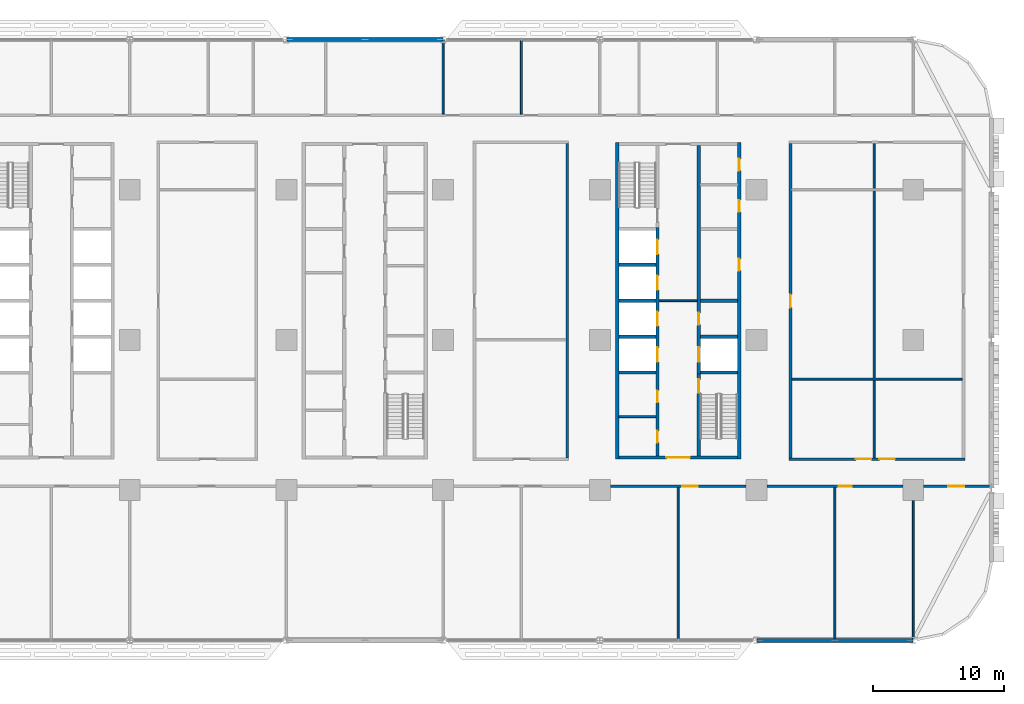
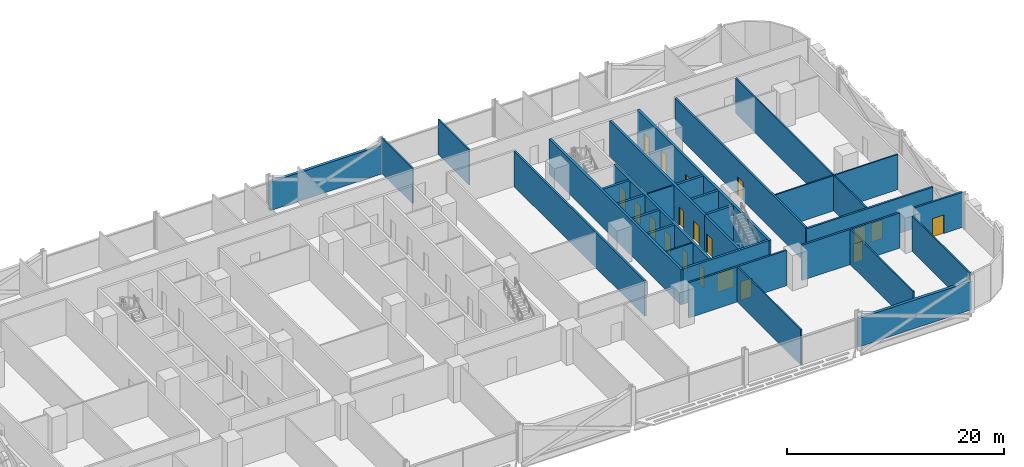
# One storey, part 14 of 28: 30 walls, 19 doors, 19 openings.
"""IFC4 building model written with IfcOpenShell, lengths in metres."""

from ifc_helpers import new_model, si_unit, direction, frame, frame_2d, origin, place, context, subcontext, project, spatial, rectangle, extrude, material, layer, layer_set, type_object, element, fill, save


model = new_model("IFC4")

# Units and contexts
model_context = context("Model", 3, precision=1e-05, world=origin(), true_north=direction((0.0, 1.0)))
body_context = subcontext(model_context, "Body", "Model", "MODEL_VIEW")
ifc_project = project(units=[si_unit("LENGTHUNIT", "METRE"), si_unit("AREAUNIT", "SQUARE_METRE"), si_unit("VOLUMEUNIT", "CUBIC_METRE"), si_unit("PLANEANGLEUNIT", "RADIAN"), si_unit("MASSUNIT", "GRAM", prefix="KILO")], contexts=[model_context])

# Site, building, storey
site_placement = place(None, origin())
site = spatial("IfcSite", under=ifc_project, at=site_placement, CompositionType="ELEMENT")
building_placement = place(site_placement, origin())
building = spatial("IfcBuilding", under=site, at=building_placement, Name="Mahtab Terrace Research Tower", CompositionType="ELEMENT")
storey_placement = place(building_placement, frame((0.0, 0.0, 33.0)))
storey = spatial("IfcBuildingStorey", under=building, at=storey_placement, Name="L07", CompositionType="ELEMENT", Elevation=33.0)

# Walls
ifc_material_1 = material(Name="Gypsum board partition")
ifc_layer_1 = layer(ifc_material_1, 0.14990234375)
ifc_layer_set_1 = layer_set([ifc_layer_1], Name="Core partition 150")
wall_type_1 = type_object("IfcWallType", Name="Core partition 150", PredefinedType="PARTITIONING", material=ifc_layer_set_1)
wall_1_placement = place(storey_placement, frame((22.550048828125, 3.0, 0.0), z_axis=(0.0, 0.0, 1.0), x_axis=(1.0, 0.0, 0.0)))
element("IfcWall", 1, at=wall_1_placement, inside=storey, type_object=wall_type_1, Name="Core wall C ffl", PredefinedType="PARTITIONING", context=body_context, shape_type="SweptSolid", body=[
    extrude(rectangle(XDim=2.89990234375, YDim=0.14990234375, at=frame_2d((1.449951171875, 0.0))), origin(), (0.0, 0.0, 1.0), 3.9599609375),
])
wall_2_placement = place(storey_placement, frame((19.449951171875, -5.875, 0.0), z_axis=(0.0, 0.0, 1.0), x_axis=(1.0, 0.0, 0.0)))
element("IfcWall", 2, at=wall_2_placement, inside=storey, type_object=wall_type_1, Name="Core wall C pWS-888", PredefinedType="PARTITIONING", context=body_context, shape_type="SweptSolid", body=[
    extrude(rectangle(XDim=2.85009765625, YDim=0.14990234375, at=frame_2d((1.425048828125, 0.0))), origin(), (0.0, 0.0, 1.0), 3.9599609375),
])
ifc_material_2 = material(Name="Concrete C70/85", Category="concrete")
ifc_layer_2 = layer(ifc_material_2, 0.25)
ifc_layer_set_2 = layer_set([ifc_layer_2], Name="Core wall 250")
wall_type_2 = type_object("IfcWallType", Name="Core wall 250", PredefinedType="SOLIDWALL", material=ifc_layer_set_2)
wall_3_placement = place(storey_placement, frame((19.324951171875, 15.125, 0.0), z_axis=(0.0, 0.0, 1.0), x_axis=(0.0, -1.0, 0.0)))
element("IfcWall", 3, at=wall_3_placement, inside=storey, type_object=wall_type_2, Name="Core wall C outerW", PredefinedType="SOLIDWALL", context=body_context, shape_type="SweptSolid", body=[
    extrude(rectangle(XDim=24.25, YDim=0.25, at=frame_2d((12.125, 0.0))), origin(), (0.0, 0.0, 1.0), 3.9599609375),
])

# Wall, openings, doors
wall_4_placement = place(storey_placement, frame((28.675048828125, -9.125, 0.0), z_axis=(0.0, 0.0, 1.0), x_axis=(0.0, 1.0, 0.0)))
wall_4 = element("IfcWall", 4, at=wall_4_placement, inside=storey, type_object=wall_type_2, Name="Core wall C outerE", PredefinedType="SOLIDWALL", context=body_context, shape_type="SweptSolid", body=[
    extrude(rectangle(XDim=24.25, YDim=0.25, at=frame_2d((12.125, 0.0))), origin(), (0.0, 0.0, 1.0), 3.9599609375),
])
opening_1_placement = place(wall_4_placement, frame((14.425048828125, 0.0, 0.0)))
opening_1 = element("IfcOpeningElement", 5, at=opening_1_placement, cuts=wall_4, Name="Opening C-R2", PredefinedType="OPENING", context=body_context, shape_type="SweptSolid", body=[
    extrude(rectangle(XDim=0.89990234375, YDim=2.10009765625, at=frame_2d((0.449951171875, 1.050048828125))), frame((0.0, 0.135009765625, 0.0), z_axis=(0.0, -1.0, 0.0), x_axis=(1.0, 0.0, 0.0)), (0.0, 0.0, 1.0), 0.27001953125),
])
opening_2_placement = place(wall_4_placement, frame((18.925048828125, 0.0, 0.0)))
opening_2 = element("IfcOpeningElement", 6, at=opening_2_placement, cuts=wall_4, Name="Opening C-R5", PredefinedType="OPENING", context=body_context, shape_type="SweptSolid", body=[
    extrude(rectangle(XDim=0.89990234375, YDim=2.10009765625, at=frame_2d((0.449951171875, 1.050048828125))), frame((0.0, 0.135009765625, 0.0), z_axis=(0.0, -1.0, 0.0), x_axis=(1.0, 0.0, 0.0)), (0.0, 0.0, 1.0), 0.27001953125),
])
opening_3_placement = place(wall_4_placement, frame((22.08740234375, 0.0, 0.0)))
opening_3 = element("IfcOpeningElement", 7, at=opening_3_placement, cuts=wall_4, Name="Opening C-R6", PredefinedType="OPENING", context=body_context, shape_type="SweptSolid", body=[
    extrude(rectangle(XDim=0.89990234375, YDim=2.10009765625, at=frame_2d((0.449951171875, 1.050048828125))), frame((0.0, 0.135009765625, 0.0), z_axis=(0.0, -1.0, 0.0), x_axis=(1.0, 0.0, 0.0)), (0.0, 0.0, 1.0), 0.27001953125),
])
ifc_material_3 = material(Name="Steel fire door", Category="steel")
door_type_1 = type_object("IfcDoorType", Name="Room door 900x2100 1 HR", OperationType="NOTDEFINED", PredefinedType="DOOR", material=ifc_material_3)
door_1_placement = place(opening_1_placement, origin())
door_1 = element("IfcDoor", 8, at=door_1_placement, inside=storey, type_object=door_type_1, Name="Plant room door", OperationType="SINGLE_SWING_RIGHT", OverallHeight=2.10009765625, OverallWidth=0.89990234375, PredefinedType="DOOR", context=body_context, shape_type="SweptSolid", body=[
    extrude(rectangle(XDim=0.89990234375, YDim=2.10009765625, at=frame_2d((0.449951171875, 1.050048828125))), frame((0.0, 0.02490234375, 0.0), z_axis=(0.0, -1.0, 0.0), x_axis=(1.0, 0.0, 0.0)), (0.0, 0.0, 1.0), 0.050048828125),
])
fill(opening_1, door_1)
door_2_placement = place(opening_2_placement, origin())
door_2 = element("IfcDoor", 9, at=door_2_placement, inside=storey, type_object=door_type_1, Name="Housekeeping store door", OperationType="SINGLE_SWING_LEFT", OverallHeight=2.10009765625, OverallWidth=0.89990234375, PredefinedType="DOOR", context=body_context, shape_type="SweptSolid", body=[
    extrude(rectangle(XDim=0.89990234375, YDim=2.10009765625, at=frame_2d((0.449951171875, 1.050048828125))), frame((0.0, 0.02490234375, 0.0), z_axis=(0.0, -1.0, 0.0), x_axis=(1.0, 0.0, 0.0)), (0.0, 0.0, 1.0), 0.050048828125),
])
fill(opening_2, door_2)
door_3_placement = place(opening_3_placement, origin())
door_3 = element("IfcDoor", 10, at=door_3_placement, inside=storey, type_object=door_type_1, Name="Electrical riser room door", OperationType="SINGLE_SWING_RIGHT", OverallHeight=2.10009765625, OverallWidth=0.89990234375, PredefinedType="DOOR", context=body_context, shape_type="SweptSolid", body=[
    extrude(rectangle(XDim=0.89990234375, YDim=2.10009765625, at=frame_2d((0.449951171875, 1.050048828125))), frame((0.0, 0.02490234375, 0.0), z_axis=(0.0, -1.0, 0.0), x_axis=(1.0, 0.0, 0.0)), (0.0, 0.0, 1.0), 0.050048828125),
])
fill(opening_3, door_3)

# Wall, opening, door
wall_5_placement = place(storey_placement, frame((28.550048828125, -9.0, 0.0), z_axis=(0.0, 0.0, 1.0), x_axis=(-1.0, 0.0, 0.0)))
wall_5 = element("IfcWall", 11, at=wall_5_placement, inside=storey, type_object=wall_type_2, Name="Core wall C endS", PredefinedType="SOLIDWALL", context=body_context, shape_type="SweptSolid", body=[
    extrude(rectangle(XDim=9.10009765625, YDim=0.25, at=frame_2d((4.550048828125, 0.0))), origin(), (0.0, 0.0, 1.0), 3.9599609375),
])
opening_4_placement = place(wall_5_placement, frame((3.64990234375, 0.0, 0.0)))
opening_4 = element("IfcOpeningElement", 12, at=opening_4_placement, cuts=wall_5, Name="Opening C-S1", PredefinedType="OPENING", context=body_context, shape_type="SweptSolid", body=[
    extrude(rectangle(XDim=1.800048828125, YDim=2.10009765625, at=frame_2d((0.89990234375, 1.050048828125))), frame((0.0, 0.135009765625, 0.0), z_axis=(0.0, -1.0, 0.0), x_axis=(1.0, 0.0, 0.0)), (0.0, 0.0, 1.0), 0.27001953125),
])
door_type_2 = type_object("IfcDoorType", Name="Lobby double door 1800x2100 1 HR", OperationType="DOUBLE_DOOR_SINGLE_SWING", PredefinedType="DOOR", material=ifc_material_3)
door_4_placement = place(opening_4_placement, origin())
door_4 = element("IfcDoor", 13, at=door_4_placement, inside=storey, type_object=door_type_2, Name="Core entrance door C S", OperationType="DOUBLE_DOOR_SINGLE_SWING", OverallHeight=2.10009765625, OverallWidth=1.800048828125, PredefinedType="DOOR", context=body_context, shape_type="SweptSolid", body=[
    extrude(rectangle(XDim=1.800048828125, YDim=2.10009765625, at=frame_2d((0.89990234375, 1.050048828125))), frame((0.0, 0.02490234375, 0.0), z_axis=(0.0, -1.0, 0.0), x_axis=(1.0, 0.0, 0.0)), (0.0, 0.0, 1.0), 0.050048828125),
])
fill(opening_4, door_4)

# Wall, openings, doors
wall_6_placement = place(storey_placement, frame((22.425048828125, -8.875, 0.0), z_axis=(0.0, 0.0, 1.0), x_axis=(0.0, 1.0, 0.0)))
wall_6 = element("IfcWall", 14, at=wall_6_placement, inside=storey, type_object=wall_type_2, Name="Core wall C innerWSL", PredefinedType="SOLIDWALL", context=body_context, shape_type="SweptSolid", body=[
    extrude(rectangle(XDim=17.5, YDim=0.25, at=frame_2d((8.75, 0.0))), origin(), (0.0, 0.0, 1.0), 3.9599609375),
])
opening_5_placement = place(wall_6_placement, frame((7.199951171875, 0.0, 0.0)))
opening_5 = element("IfcOpeningElement", 15, at=opening_5_placement, cuts=wall_6, Name="Opening LD17-L07", PredefinedType="OPENING", context=body_context, shape_type="SweptSolid", body=[
    extrude(rectangle(XDim=1.10009765625, YDim=2.10009765625, at=frame_2d((0.550048828125, 1.050048828125))), frame((0.0, 0.135009765625, 0.0), z_axis=(0.0, -1.0, 0.0), x_axis=(1.0, 0.0, 0.0)), (0.0, 0.0, 1.0), 0.27001953125),
])
opening_6_placement = place(wall_6_placement, frame((9.949951171875, 0.0, 0.0)))
opening_6 = element("IfcOpeningElement", 16, at=opening_6_placement, cuts=wall_6, Name="Opening LD18-L07", PredefinedType="OPENING", context=body_context, shape_type="SweptSolid", body=[
    extrude(rectangle(XDim=1.10009765625, YDim=2.10009765625, at=frame_2d((0.550048828125, 1.050048828125))), frame((0.0, 0.135009765625, 0.0), z_axis=(0.0, -1.0, 0.0), x_axis=(1.0, 0.0, 0.0)), (0.0, 0.0, 1.0), 0.27001953125),
])
opening_7_placement = place(wall_6_placement, frame((12.699951171875, 0.0, 0.0)))
opening_7 = element("IfcOpeningElement", 17, at=opening_7_placement, cuts=wall_6, Name="Opening LD19-L07", PredefinedType="OPENING", context=body_context, shape_type="SweptSolid", body=[
    extrude(rectangle(XDim=1.10009765625, YDim=2.10009765625, at=frame_2d((0.550048828125, 1.050048828125))), frame((0.0, 0.135009765625, 0.0), z_axis=(0.0, -1.0, 0.0), x_axis=(1.0, 0.0, 0.0)), (0.0, 0.0, 1.0), 0.27001953125),
])
opening_8_placement = place(wall_6_placement, frame((15.449951171875, 0.0, 0.0)))
opening_8 = element("IfcOpeningElement", 18, at=opening_8_placement, cuts=wall_6, Name="Opening LD20-L07", PredefinedType="OPENING", context=body_context, shape_type="SweptSolid", body=[
    extrude(rectangle(XDim=1.10009765625, YDim=2.10009765625, at=frame_2d((0.550048828125, 1.050048828125))), frame((0.0, 0.135009765625, 0.0), z_axis=(0.0, -1.0, 0.0), x_axis=(1.0, 0.0, 0.0)), (0.0, 0.0, 1.0), 0.27001953125),
])
opening_9_placement = place(wall_6_placement, frame((1.012451171875, 0.0, 0.0)))
opening_9 = element("IfcOpeningElement", 19, at=opening_9_placement, cuts=wall_6, Name="Opening C-R3", PredefinedType="OPENING", context=body_context, shape_type="SweptSolid", body=[
    extrude(rectangle(XDim=0.89990234375, YDim=2.10009765625, at=frame_2d((0.449951171875, 1.050048828125))), frame((0.0, 0.135009765625, 0.0), z_axis=(0.0, -1.0, 0.0), x_axis=(1.0, 0.0, 0.0)), (0.0, 0.0, 1.0), 0.27001953125),
])
opening_10_placement = place(wall_6_placement, frame((4.08740234375, 0.0, 0.0)))
opening_10 = element("IfcOpeningElement", 20, at=opening_10_placement, cuts=wall_6, Name="Opening C-R4", PredefinedType="OPENING", context=body_context, shape_type="SweptSolid", body=[
    extrude(rectangle(XDim=0.89990234375, YDim=2.10009765625, at=frame_2d((0.449951171875, 1.050048828125))), frame((0.0, 0.135009765625, 0.0), z_axis=(0.0, -1.0, 0.0), x_axis=(1.0, 0.0, 0.0)), (0.0, 0.0, 1.0), 0.27001953125),
])
ifc_material_4 = material(Name="Stainless steel AISI 304", Category="steel")
door_type_3 = type_object("IfcDoorType", Name="Landing door 1100x2100", OperationType="DOUBLE_DOOR_SLIDING", PredefinedType="DOOR", material=ifc_material_4)
door_5_placement = place(opening_5_placement, origin())
door_5 = element("IfcDoor", 21, at=door_5_placement, inside=storey, type_object=door_type_3, Name="Landing door SV1 L07", OperationType="DOUBLE_DOOR_SLIDING", OverallHeight=2.10009765625, OverallWidth=1.10009765625, PredefinedType="DOOR", context=body_context, shape_type="SweptSolid", body=[
    extrude(rectangle(XDim=1.10009765625, YDim=2.10009765625, at=frame_2d((0.550048828125, 1.050048828125))), frame((0.0, 0.02490234375, 0.0), z_axis=(0.0, -1.0, 0.0), x_axis=(1.0, 0.0, 0.0)), (0.0, 0.0, 1.0), 0.050048828125),
])
fill(opening_5, door_5)
door_6_placement = place(opening_6_placement, origin())
door_6 = element("IfcDoor", 22, at=door_6_placement, inside=storey, type_object=door_type_3, Name="Landing door SV2 L07", OperationType="DOUBLE_DOOR_SLIDING", OverallHeight=2.10009765625, OverallWidth=1.10009765625, PredefinedType="DOOR", context=body_context, shape_type="SweptSolid", body=[
    extrude(rectangle(XDim=1.10009765625, YDim=2.10009765625, at=frame_2d((0.550048828125, 1.050048828125))), frame((0.0, 0.02490234375, 0.0), z_axis=(0.0, -1.0, 0.0), x_axis=(1.0, 0.0, 0.0)), (0.0, 0.0, 1.0), 0.050048828125),
])
fill(opening_6, door_6)
door_7_placement = place(opening_7_placement, origin())
door_7 = element("IfcDoor", 23, at=door_7_placement, inside=storey, type_object=door_type_3, Name="Landing door FF1 L07", OperationType="DOUBLE_DOOR_SLIDING", OverallHeight=2.10009765625, OverallWidth=1.10009765625, PredefinedType="DOOR", context=body_context, shape_type="SweptSolid", body=[
    extrude(rectangle(XDim=1.10009765625, YDim=2.10009765625, at=frame_2d((0.550048828125, 1.050048828125))), frame((0.0, 0.02490234375, 0.0), z_axis=(0.0, -1.0, 0.0), x_axis=(1.0, 0.0, 0.0)), (0.0, 0.0, 1.0), 0.050048828125),
])
fill(opening_7, door_7)
door_8_placement = place(opening_8_placement, origin())
door_8 = element("IfcDoor", 24, at=door_8_placement, inside=storey, type_object=door_type_3, Name="Landing door FF2 L07", OperationType="DOUBLE_DOOR_SLIDING", OverallHeight=2.10009765625, OverallWidth=1.10009765625, PredefinedType="DOOR", context=body_context, shape_type="SweptSolid", body=[
    extrude(rectangle(XDim=1.10009765625, YDim=2.10009765625, at=frame_2d((0.550048828125, 1.050048828125))), frame((0.0, 0.02490234375, 0.0), z_axis=(0.0, -1.0, 0.0), x_axis=(1.0, 0.0, 0.0)), (0.0, 0.0, 1.0), 0.050048828125),
])
fill(opening_8, door_8)
door_9_placement = place(opening_9_placement, origin())
door_9 = element("IfcDoor", 25, at=door_9_placement, inside=storey, type_object=door_type_1, Name="Staff WC door", OperationType="SINGLE_SWING_LEFT", OverallHeight=2.10009765625, OverallWidth=0.89990234375, PredefinedType="DOOR", context=body_context, shape_type="SweptSolid", body=[
    extrude(rectangle(XDim=0.89990234375, YDim=2.10009765625, at=frame_2d((0.449951171875, 1.050048828125))), frame((0.0, 0.02490234375, 0.0), z_axis=(0.0, -1.0, 0.0), x_axis=(1.0, 0.0, 0.0)), (0.0, 0.0, 1.0), 0.050048828125),
])
fill(opening_9, door_9)
door_10_placement = place(opening_10_placement, origin())
door_10 = element("IfcDoor", 26, at=door_10_placement, inside=storey, type_object=door_type_1, Name="Accessible WC door", OperationType="SINGLE_SWING_RIGHT", OverallHeight=2.10009765625, OverallWidth=0.89990234375, PredefinedType="DOOR", context=body_context, shape_type="SweptSolid", body=[
    extrude(rectangle(XDim=0.89990234375, YDim=2.10009765625, at=frame_2d((0.449951171875, 1.050048828125))), frame((0.0, 0.02490234375, 0.0), z_axis=(0.0, -1.0, 0.0), x_axis=(1.0, 0.0, 0.0)), (0.0, 0.0, 1.0), 0.050048828125),
])
fill(opening_10, door_10)

# Wall, opening, door
wall_7_placement = place(storey_placement, frame((25.574951171875, -8.875, 0.0), z_axis=(0.0, 0.0, 1.0), x_axis=(0.0, 1.0, 0.0)))
wall_7 = element("IfcWall", 27, at=wall_7_placement, inside=storey, type_object=wall_type_2, Name="Core wall C innerES", PredefinedType="SOLIDWALL", context=body_context, shape_type="SweptSolid", body=[
    extrude(rectangle(XDim=6.25, YDim=0.25, at=frame_2d((3.125, 0.0))), origin(), (0.0, 0.0, 1.0), 3.9599609375),
])
opening_11_placement = place(wall_7_placement, frame((4.85009765625, 0.0, 0.0)))
opening_11 = element("IfcOpeningElement", 28, at=opening_11_placement, cuts=wall_7, Name="Opening C-ST4", PredefinedType="OPENING", context=body_context, shape_type="SweptSolid", body=[
    extrude(rectangle(XDim=1.0, YDim=2.10009765625, at=frame_2d((0.5, 1.050048828125))), frame((0.0, 0.135009765625, 0.0), z_axis=(0.0, -1.0, 0.0), x_axis=(1.0, 0.0, 0.0)), (0.0, 0.0, 1.0), 0.27001953125),
])
door_type_4 = type_object("IfcDoorType", Name="Stair door 1000x2100 1.5 HR", OperationType="NOTDEFINED", PredefinedType="DOOR", material=ifc_material_3)
door_11_placement = place(opening_11_placement, origin())
door_11 = element("IfcDoor", 29, at=door_11_placement, inside=storey, type_object=door_type_4, Name="Stair door ST4 L07", OperationType="SINGLE_SWING_RIGHT", OverallHeight=2.10009765625, OverallWidth=1.0, PredefinedType="DOOR", context=body_context, shape_type="SweptSolid", body=[
    extrude(rectangle(XDim=1.0, YDim=2.10009765625, at=frame_2d((0.5, 1.050048828125))), frame((0.0, 0.02490234375, 0.0), z_axis=(0.0, -1.0, 0.0), x_axis=(1.0, 0.0, 0.0)), (0.0, 0.0, 1.0), 0.050048828125),
])
fill(opening_11, door_11)

# Wall, openings, doors
wall_8_placement = place(storey_placement, frame((25.574951171875, 14.875, 0.0), z_axis=(0.0, 0.0, 1.0), x_axis=(0.0, -1.0, 0.0)))
wall_8 = element("IfcWall", 30, at=wall_8_placement, inside=storey, type_object=wall_type_2, Name="Core wall C innerELN", PredefinedType="SOLIDWALL", context=body_context, shape_type="SweptSolid", body=[
    extrude(rectangle(XDim=17.5, YDim=0.25, at=frame_2d((8.75, 0.0))), origin(), (0.0, 0.0, 1.0), 3.9599609375),
])
opening_12_placement = place(wall_8_placement, frame((15.449951171875, 0.0, 0.0)))
opening_12 = element("IfcOpeningElement", 31, at=opening_12_placement, cuts=wall_8, Name="Opening LD21-L07", PredefinedType="OPENING", context=body_context, shape_type="SweptSolid", body=[
    extrude(rectangle(XDim=1.10009765625, YDim=2.10009765625, at=frame_2d((0.550048828125, 1.050048828125))), frame((0.0, 0.135009765625, 0.0), z_axis=(0.0, -1.0, 0.0), x_axis=(1.0, 0.0, 0.0)), (0.0, 0.0, 1.0), 0.27001953125),
])
opening_13_placement = place(wall_8_placement, frame((12.800048828125, 0.0, 0.0)))
opening_13 = element("IfcOpeningElement", 32, at=opening_13_placement, cuts=wall_8, Name="Opening C-R1", PredefinedType="OPENING", context=body_context, shape_type="SweptSolid", body=[
    extrude(rectangle(XDim=0.89990234375, YDim=2.10009765625, at=frame_2d((0.449951171875, 1.050048828125))), frame((0.0, 0.135009765625, 0.0), z_axis=(0.0, -1.0, 0.0), x_axis=(1.0, 0.0, 0.0)), (0.0, 0.0, 1.0), 0.27001953125),
])
door_12_placement = place(opening_12_placement, origin())
door_12 = element("IfcDoor", 33, at=door_12_placement, inside=storey, type_object=door_type_3, Name="Landing door SV3 L07", OperationType="DOUBLE_DOOR_SLIDING", OverallHeight=2.10009765625, OverallWidth=1.10009765625, PredefinedType="DOOR", context=body_context, shape_type="SweptSolid", body=[
    extrude(rectangle(XDim=1.10009765625, YDim=2.10009765625, at=frame_2d((0.550048828125, 1.050048828125))), frame((0.0, 0.02490234375, 0.0), z_axis=(0.0, -1.0, 0.0), x_axis=(1.0, 0.0, 0.0)), (0.0, 0.0, 1.0), 0.050048828125),
])
fill(opening_12, door_12)
door_13_placement = place(opening_13_placement, origin())
door_13 = element("IfcDoor", 34, at=door_13_placement, inside=storey, type_object=door_type_1, Name="Plant room door", OperationType="SINGLE_SWING_LEFT", OverallHeight=2.10009765625, OverallWidth=0.89990234375, PredefinedType="DOOR", context=body_context, shape_type="SweptSolid", body=[
    extrude(rectangle(XDim=0.89990234375, YDim=2.10009765625, at=frame_2d((0.449951171875, 1.050048828125))), frame((0.0, 0.02490234375, 0.0), z_axis=(0.0, -1.0, 0.0), x_axis=(1.0, 0.0, 0.0)), (0.0, 0.0, 1.0), 0.050048828125),
])
fill(opening_13, door_13)

# Walls
for number, where, z_axis, x_axis, name in (
    (35, (19.449951171875, -2.5, 0.0), (0.0, 0.0, 1.0), (1.0, 0.0, 0.0), "Core wall C divW0"),
    (36, (19.449951171875, 0.25, 0.0), (0.0, 0.0, 1.0), (1.0, 0.0, 0.0), "Core wall C divW1"),
    (37, (19.449951171875, 3.0, 0.0), (0.0, 0.0, 1.0), (1.0, 0.0, 0.0), "Core wall C divW2"),
    (38, (19.449951171875, 5.75, 0.0), (0.0, 0.0, 1.0), (1.0, 0.0, 0.0), "Core wall C divW3"),
    (39, (25.699951171875, -2.5, 0.0), (0.0, 0.0, 1.0), (1.0, 0.0, 0.0), "Core wall C divE0"),
    (40, (25.699951171875, 0.25, 0.0), (0.0, 0.0, 1.0), (1.0, 0.0, 0.0), "Core wall C divE1"),
    (41, (25.699951171875, 3.0, 0.0), (0.0, 0.0, 1.0), (1.0, 0.0, 0.0), "Core wall C divE2"),
):
    element("IfcWall", number, at=place(storey_placement, frame(where, z_axis=z_axis, x_axis=x_axis)), inside=storey, type_object=wall_type_2, Name=name, PredefinedType="SOLIDWALL", context=body_context, shape_type="SweptSolid", body=[
        extrude(rectangle(XDim=2.85009765625, YDim=0.25, at=frame_2d((1.425048828125, 0.0))), origin(), (0.0, 0.0, 1.0), 3.9599609375),
    ])
ifc_material_5 = material(Name="Black aluminium cladding panel", Category="aluminium")
ifc_layer_3 = layer(ifc_material_5, 0.300048828125)
ifc_layer_set_3 = layer_set([ifc_layer_3], Name="Opaque facade wall 300")
wall_type_3 = type_object("IfcWallType", Name="Opaque facade wall 300", PredefinedType="NOTDEFINED", material=ifc_layer_set_3)
for number, where, z_axis, x_axis, name in (
    (42, (5.97216796875, 23.0, 0.0), (0.0, 0.0, 1.0), (-1.0, 0.0, 0.0), "Opaque facade wall L07 N6"),
    (43, (30.02783203125, -23.0, 0.0), (0.0, 0.0, 1.0), (1.0, 0.0, 0.0), "Opaque facade wall L07 S28"),
):
    element("IfcWall", number, at=place(storey_placement, frame(where, z_axis=z_axis, x_axis=x_axis)), inside=storey, type_object=wall_type_3, Name=name, PredefinedType="NOTDEFINED", context=body_context, shape_type="SweptSolid", body=[
        extrude(rectangle(XDim=11.9443359375, YDim=0.300048828125, at=frame_2d((5.97216796875, 0.0))), origin(), (0.0, 0.0, 1.0), 3.203125),
    ])

# Wall, opening, door
ifc_material_6 = material(Name="Gypsum board corridor wall on steel studs", Category="steel")
ifc_layer_4 = layer(ifc_material_6, 0.199951171875)
ifc_layer_set_4 = layer_set([ifc_layer_4], Name="WALL CORRIDOR 200")
wall_type_4 = type_object("IfcWallType", Name="WALL CORRIDOR 200", PredefinedType="PARTITIONING", material=ifc_layer_set_4)
wall_9_placement = place(storey_placement, frame((18.800048828125, -11.199951171875, 0.0), z_axis=(0.0, 0.0, 1.0), x_axis=(1.0, 0.0, 0.0)))
wall_9 = element("IfcWall", 44, at=wall_9_placement, inside=storey, type_object=wall_type_4, Name="L07-W007", PredefinedType="PARTITIONING", context=body_context, shape_type="SweptSolid", body=[
    extrude(rectangle(XDim=10.39990234375, YDim=0.199951171875, at=frame_2d((5.199951171875, 0.0))), origin(), (0.0, 0.0, 1.0), 3.9599609375),
])
opening_14_placement = place(wall_9_placement, frame((5.5, 0.0, 0.0)))
opening_14 = element("IfcOpeningElement", 45, at=opening_14_placement, cuts=wall_9, Name="Opening L07-108", PredefinedType="OPENING", context=body_context, shape_type="SweptSolid", body=[
    extrude(rectangle(XDim=1.199951171875, YDim=2.10009765625, at=frame_2d((0.60009765625, 1.050048828125))), frame((0.0, 0.10986328125, 0.0), z_axis=(0.0, -1.0, 0.0), x_axis=(1.0, 0.0, 0.0)), (0.0, 0.0, 1.0), 0.219970703125),
])
ifc_material_7 = material(Name="Timber door leaf in steel frame", Category="steel")
door_type_5 = type_object("IfcDoorType", Name="DOOR 1200X2100 FD30S", OperationType="SINGLE_SWING_LEFT", PredefinedType="DOOR", material=ifc_material_7)
door_14_placement = place(opening_14_placement, origin())
door_14 = element("IfcDoor", 46, at=door_14_placement, inside=storey, type_object=door_type_5, Name="Door L07-108", OperationType="SINGLE_SWING_LEFT", OverallHeight=2.10009765625, OverallWidth=1.199951171875, PredefinedType="DOOR", context=body_context, shape_type="SweptSolid", body=[
    extrude(rectangle(XDim=1.199951171875, YDim=2.10009765625, at=frame_2d((0.60009765625, 1.050048828125))), frame((0.0, 0.02490234375, 0.0), z_axis=(0.0, -1.0, 0.0), x_axis=(1.0, 0.0, 0.0)), (0.0, 0.0, 1.0), 0.050048828125),
])
fill(opening_14, door_14)

wall_10_placement = place(storey_placement, frame((30.800048828125, -11.199951171875, 0.0), z_axis=(0.0, 0.0, 1.0), x_axis=(1.0, 0.0, 0.0)))
wall_10 = element("IfcWall", 47, at=wall_10_placement, inside=storey, type_object=wall_type_4, Name="L07-W008", PredefinedType="PARTITIONING", context=body_context, shape_type="SweptSolid", body=[
    extrude(rectangle(XDim=10.39990234375, YDim=0.199951171875, at=frame_2d((5.199951171875, 0.0))), origin(), (0.0, 0.0, 1.0), 3.9599609375),
])
opening_15_placement = place(wall_10_placement, frame((5.5, 0.0, 0.0)))
opening_15 = element("IfcOpeningElement", 48, at=opening_15_placement, cuts=wall_10, Name="Opening L07-109", PredefinedType="OPENING", context=body_context, shape_type="SweptSolid", body=[
    extrude(rectangle(XDim=1.0, YDim=2.10009765625, at=frame_2d((0.5, 1.050048828125))), frame((0.0, 0.10986328125, 0.0), z_axis=(0.0, -1.0, 0.0), x_axis=(1.0, 0.0, 0.0)), (0.0, 0.0, 1.0), 0.219970703125),
])
door_type_6 = type_object("IfcDoorType", Name="DOOR 1000X2100 FD30S", OperationType="SINGLE_SWING_LEFT", PredefinedType="DOOR", material=ifc_material_7)
door_15_placement = place(opening_15_placement, origin())
door_15 = element("IfcDoor", 49, at=door_15_placement, inside=storey, type_object=door_type_6, Name="Door L07-109", OperationType="SINGLE_SWING_LEFT", OverallHeight=2.10009765625, OverallWidth=1.0, PredefinedType="DOOR", context=body_context, shape_type="SweptSolid", body=[
    extrude(rectangle(XDim=1.0, YDim=2.10009765625, at=frame_2d((0.5, 1.050048828125))), frame((0.0, 0.02490234375, 0.0), z_axis=(0.0, -1.0, 0.0), x_axis=(1.0, 0.0, 0.0)), (0.0, 0.0, 1.0), 0.050048828125),
])
fill(opening_15, door_15)

wall_11_placement = place(storey_placement, frame((42.800048828125, -11.199951171875, 0.0), z_axis=(0.0, 0.0, 1.0), x_axis=(1.0, 0.0, 0.0)))
wall_11 = element("IfcWall", 50, at=wall_11_placement, inside=storey, type_object=wall_type_4, Name="L07-W009", PredefinedType="PARTITIONING", context=body_context, shape_type="SweptSolid", body=[
    extrude(rectangle(XDim=5.050048828125, YDim=0.199951171875, at=frame_2d((2.52490234375, 0.0))), origin(), (0.0, 0.0, 1.0), 3.9599609375),
])
opening_16_placement = place(wall_11_placement, frame((1.89990234375, 0.0, 0.0)))
opening_16 = element("IfcOpeningElement", 51, at=opening_16_placement, cuts=wall_11, Name="Opening L07-110", PredefinedType="OPENING", context=body_context, shape_type="SweptSolid", body=[
    extrude(rectangle(XDim=1.199951171875, YDim=2.10009765625, at=frame_2d((0.60009765625, 1.050048828125))), frame((0.0, 0.10986328125, 0.0), z_axis=(0.0, -1.0, 0.0), x_axis=(1.0, 0.0, 0.0)), (0.0, 0.0, 1.0), 0.219970703125),
])
door_16_placement = place(opening_16_placement, origin())
door_16 = element("IfcDoor", 52, at=door_16_placement, inside=storey, type_object=door_type_5, Name="Door L07-110", OperationType="SINGLE_SWING_RIGHT", OverallHeight=2.10009765625, OverallWidth=1.199951171875, PredefinedType="DOOR", context=body_context, shape_type="SweptSolid", body=[
    extrude(rectangle(XDim=1.199951171875, YDim=2.10009765625, at=frame_2d((0.60009765625, 1.050048828125))), frame((0.0, 0.02490234375, 0.0), z_axis=(0.0, -1.0, 0.0), x_axis=(1.0, 0.0, 0.0)), (0.0, 0.0, 1.0), 0.050048828125),
])
fill(opening_16, door_16)

# Wall, openings, doors
wall_12_placement = place(storey_placement, frame((32.5, -9.125, 0.0), z_axis=(0.0, 0.0, 1.0), x_axis=(1.0, 0.0, 0.0)))
wall_12 = element("IfcWall", 53, at=wall_12_placement, inside=storey, type_object=wall_type_4, Name="L07-W013", PredefinedType="PARTITIONING", context=body_context, shape_type="SweptSolid", body=[
    extrude(rectangle(XDim=13.449951171875, YDim=0.199951171875, at=frame_2d((6.72509765625, 0.0))), origin(), (0.0, 0.0, 1.0), 3.9599609375),
])
opening_17_placement = place(wall_12_placement, frame((5.10009765625, 0.0, 0.0)))
opening_17 = element("IfcOpeningElement", 54, at=opening_17_placement, cuts=wall_12, Name="Opening L07-112", PredefinedType="OPENING", context=body_context, shape_type="SweptSolid", body=[
    extrude(rectangle(XDim=1.199951171875, YDim=2.10009765625, at=frame_2d((0.60009765625, 1.050048828125))), frame((0.0, 0.10986328125, 0.0), z_axis=(0.0, -1.0, 0.0), x_axis=(1.0, 0.0, 0.0)), (0.0, 0.0, 1.0), 0.219970703125),
])
opening_18_placement = place(wall_12_placement, frame((6.89990234375, 0.0, 0.0)))
opening_18 = element("IfcOpeningElement", 55, at=opening_18_placement, cuts=wall_12, Name="Opening L07-113", PredefinedType="OPENING", context=body_context, shape_type="SweptSolid", body=[
    extrude(rectangle(XDim=1.199951171875, YDim=2.10009765625, at=frame_2d((0.60009765625, 1.050048828125))), frame((0.0, 0.10986328125, 0.0), z_axis=(0.0, -1.0, 0.0), x_axis=(1.0, 0.0, 0.0)), (0.0, 0.0, 1.0), 0.219970703125),
])
door_17_placement = place(opening_17_placement, origin())
door_17 = element("IfcDoor", 56, at=door_17_placement, inside=storey, type_object=door_type_5, Name="Door L07-112", OperationType="SINGLE_SWING_LEFT", OverallHeight=2.10009765625, OverallWidth=1.199951171875, PredefinedType="DOOR", context=body_context, shape_type="SweptSolid", body=[
    extrude(rectangle(XDim=1.199951171875, YDim=2.10009765625, at=frame_2d((0.60009765625, 1.050048828125))), frame((0.0, 0.02490234375, 0.0), z_axis=(0.0, -1.0, 0.0), x_axis=(1.0, 0.0, 0.0)), (0.0, 0.0, 1.0), 0.050048828125),
])
fill(opening_17, door_17)
door_18_placement = place(opening_18_placement, origin())
door_18 = element("IfcDoor", 57, at=door_18_placement, inside=storey, type_object=door_type_5, Name="Door L07-113", OperationType="SINGLE_SWING_RIGHT", OverallHeight=2.10009765625, OverallWidth=1.199951171875, PredefinedType="DOOR", context=body_context, shape_type="SweptSolid", body=[
    extrude(rectangle(XDim=1.199951171875, YDim=2.10009765625, at=frame_2d((0.60009765625, 1.050048828125))), frame((0.0, 0.02490234375, 0.0), z_axis=(0.0, -1.0, 0.0), x_axis=(1.0, 0.0, 0.0)), (0.0, 0.0, 1.0), 0.050048828125),
])
fill(opening_18, door_18)

# Wall
wall_13_placement = place(storey_placement, frame((15.5, -9.02490234375, 0.0), z_axis=(0.0, 0.0, 1.0), x_axis=(0.0, 1.0, 0.0)))
element("IfcWall", 58, at=wall_13_placement, inside=storey, type_object=wall_type_4, Name="L07-W049", PredefinedType="PARTITIONING", context=body_context, shape_type="SweptSolid", body=[
    extrude(rectangle(XDim=24.0498046875, YDim=0.199951171875, at=frame_2d((12.02490234375, 0.0))), origin(), (0.0, 0.0, 1.0), 3.9599609375),
])

# Wall, opening, door
wall_14_placement = place(storey_placement, frame((32.60009765625, -9.02490234375, 0.0), z_axis=(0.0, 0.0, 1.0), x_axis=(0.0, 1.0, 0.0)))
wall_14 = element("IfcWall", 59, at=wall_14_placement, inside=storey, type_object=wall_type_4, Name="L07-W054", PredefinedType="PARTITIONING", context=body_context, shape_type="SweptSolid", body=[
    extrude(rectangle(XDim=24.0498046875, YDim=0.199951171875, at=frame_2d((12.02490234375, 0.0))), origin(), (0.0, 0.0, 1.0), 3.9599609375),
])
opening_19_placement = place(wall_14_placement, frame((11.5, 0.0, 0.0)))
opening_19 = element("IfcOpeningElement", 60, at=opening_19_placement, cuts=wall_14, Name="Opening L07-118", PredefinedType="OPENING", context=body_context, shape_type="SweptSolid", body=[
    extrude(rectangle(XDim=1.0, YDim=2.10009765625, at=frame_2d((0.5, 1.050048828125))), frame((0.0, 0.10986328125, 0.0), z_axis=(0.0, -1.0, 0.0), x_axis=(1.0, 0.0, 0.0)), (0.0, 0.0, 1.0), 0.219970703125),
])
door_19_placement = place(opening_19_placement, origin())
door_19 = element("IfcDoor", 61, at=door_19_placement, inside=storey, type_object=door_type_6, Name="Door L07-118", OperationType="SINGLE_SWING_RIGHT", OverallHeight=2.10009765625, OverallWidth=1.0, PredefinedType="DOOR", context=body_context, shape_type="SweptSolid", body=[
    extrude(rectangle(XDim=1.0, YDim=2.10009765625, at=frame_2d((0.5, 1.050048828125))), frame((0.0, 0.02490234375, 0.0), z_axis=(0.0, -1.0, 0.0), x_axis=(1.0, 0.0, 0.0)), (0.0, 0.0, 1.0), 0.050048828125),
])
fill(opening_19, door_19)

# Walls
ifc_material_8 = material(Name="Gypsum board partition on steel studs", Category="steel")
ifc_layer_5 = layer(ifc_material_8, 0.14990234375)
ifc_layer_set_5 = layer_set([ifc_layer_5], Name="WALL PARTITION 150")
wall_type_5 = type_object("IfcWallType", Name="WALL PARTITION 150", PredefinedType="PARTITIONING", material=ifc_layer_set_5)
wall_15_placement = place(storey_placement, frame((32.699951171875, -3.0, 0.0), z_axis=(0.0, 0.0, 1.0), x_axis=(1.0, 0.0, 0.0)))
element("IfcWall", 62, at=wall_15_placement, inside=storey, type_object=wall_type_5, Name="L07-W015", PredefinedType="PARTITIONING", context=body_context, shape_type="SweptSolid", body=[
    extrude(rectangle(XDim=13.050048828125, YDim=0.14990234375, at=frame_2d((6.52490234375, 0.0))), origin(), (0.0, 0.0, 1.0), 3.9599609375),
])
for number, where, z_axis, x_axis, name in (
    (63, (6.0, 17.300048828125, 0.0), (0.0, 0.0, 1.0), (0.0, 1.0, 0.0), "L07-W045"),
    (64, (12.0, 17.300048828125, 0.0), (0.0, 0.0, 1.0), (0.0, 1.0, 0.0), "L07-W048"),
):
    element("IfcWall", number, at=place(storey_placement, frame(where, z_axis=z_axis, x_axis=x_axis)), inside=storey, type_object=wall_type_5, Name=name, PredefinedType="PARTITIONING", context=body_context, shape_type="SweptSolid", body=[
        extrude(rectangle(XDim=5.675048828125, YDim=0.14990234375, at=frame_2d((2.83740234375, 0.0))), origin(), (0.0, 0.0, 1.0), 3.9599609375),
    ])
wall_16_placement = place(storey_placement, frame((24.0, -22.97509765625, 0.0), z_axis=(0.0, 0.0, 1.0), x_axis=(0.0, 1.0, 0.0)))
element("IfcWall", 65, at=wall_16_placement, inside=storey, type_object=wall_type_5, Name="L07-W052", PredefinedType="PARTITIONING", context=body_context, shape_type="SweptSolid", body=[
    extrude(rectangle(XDim=11.675048828125, YDim=0.14990234375, at=frame_2d((5.83740234375, 0.0))), origin(), (0.0, 0.0, 1.0), 3.9599609375),
])
wall_17_placement = place(storey_placement, frame((36.0, -22.85009765625, 0.0), z_axis=(0.0, 0.0, 1.0), x_axis=(0.0, 1.0, 0.0)))
element("IfcWall", 66, at=wall_17_placement, inside=storey, type_object=wall_type_5, Name="L07-W055", PredefinedType="PARTITIONING", context=body_context, shape_type="SweptSolid", body=[
    extrude(rectangle(XDim=11.550048828125, YDim=0.14990234375, at=frame_2d((5.77490234375, 0.0))), origin(), (0.0, 0.0, 1.0), 3.9599609375),
])
wall_18_placement = place(storey_placement, frame((39.0, -9.02490234375, 0.0), z_axis=(0.0, 0.0, 1.0), x_axis=(0.0, 1.0, 0.0)))
element("IfcWall", 67, at=wall_18_placement, inside=storey, type_object=wall_type_5, Name="L07-W057", PredefinedType="PARTITIONING", context=body_context, shape_type="SweptSolid", body=[
    extrude(rectangle(XDim=24.0498046875, YDim=0.14990234375, at=frame_2d((12.02490234375, 0.0))), origin(), (0.0, 0.0, 1.0), 3.9599609375),
])
wall_19_placement = place(storey_placement, frame((42.0, -22.84716796875, 0.0), z_axis=(0.0, 0.0, 1.0), x_axis=(0.0, 1.0, 0.0)))
element("IfcWall", 68, at=wall_19_placement, inside=storey, type_object=wall_type_5, Name="L07-W058", PredefinedType="PARTITIONING", context=body_context, shape_type="SweptSolid", body=[
    extrude(rectangle(XDim=10.547119140625, YDim=0.14990234375, at=frame_2d((5.2734375, 0.0))), origin(), (0.0, 0.0, 1.0), 3.9599609375),
])

save(model, "model.ifc")
